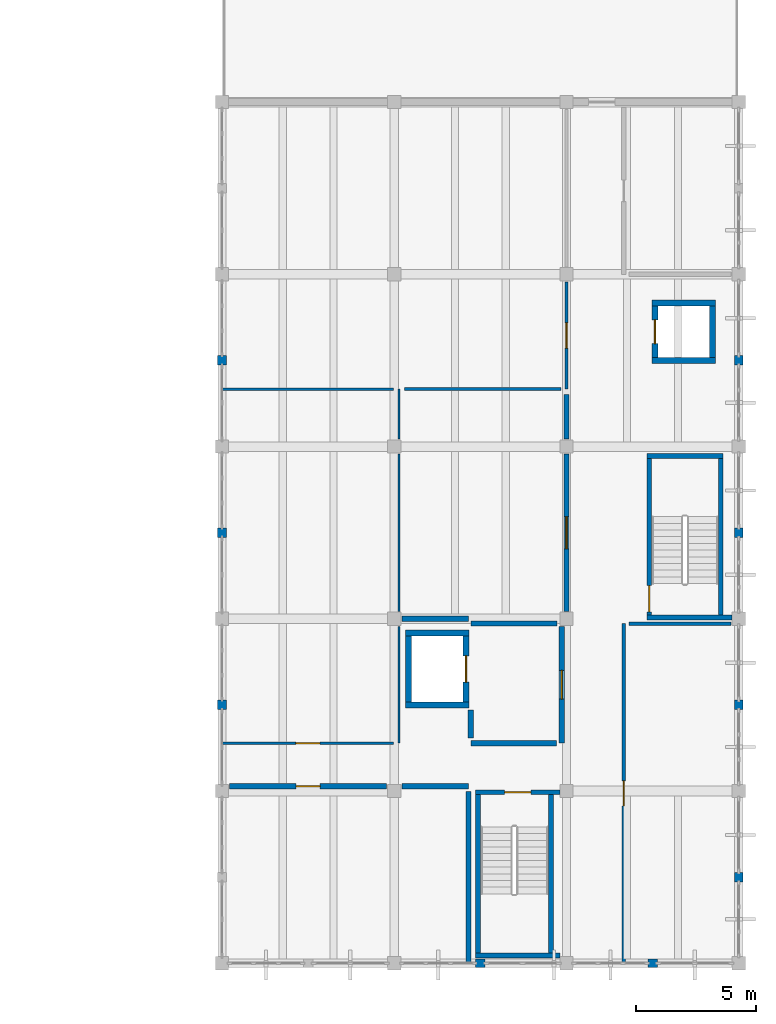
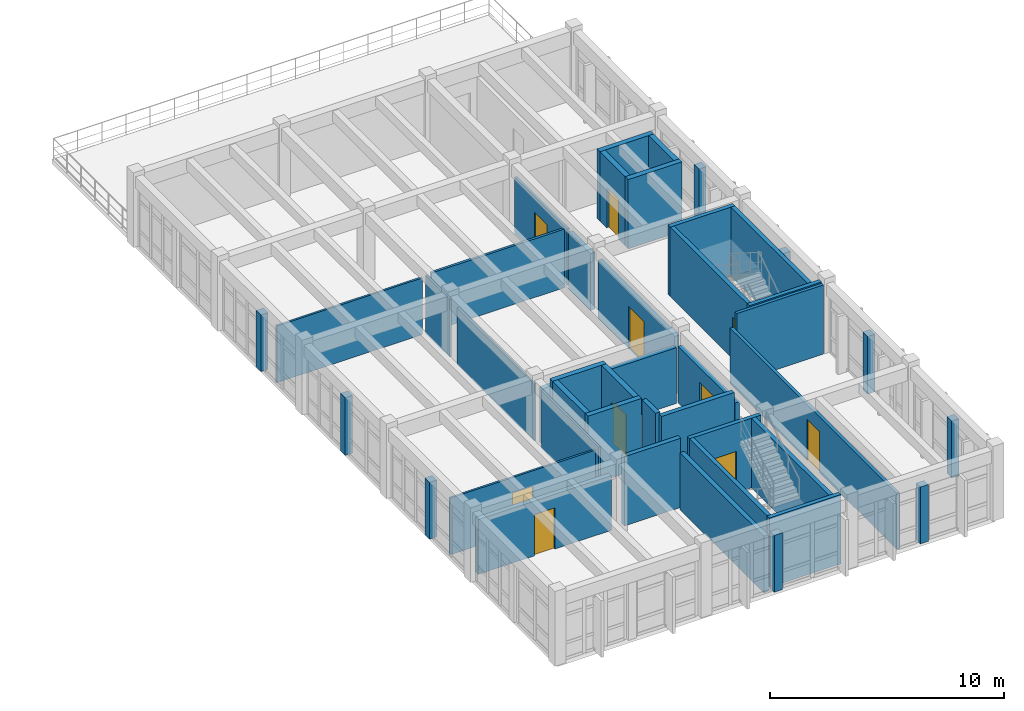
# One storey, part 16 of 22: 44 walls, 10 doors, 10 openings.
"""IFC4 building model written with IfcOpenShell, lengths in metres."""

from ifc_helpers import new_model, si_unit, direction, frame, frame_2d, origin, place, context, subcontext, project, spatial, rectangle, extrude, material, layer, layer_set, type_object, element, fill, save


model = new_model("IFC4")

# Units and contexts
model_context = context("Model", 3, precision=1e-05, world=origin(), true_north=direction((0.0, 1.0)))
body_context = subcontext(model_context, "Body", "Model", "MODEL_VIEW")
ifc_project = project(units=[si_unit("LENGTHUNIT", "METRE"), si_unit("AREAUNIT", "SQUARE_METRE"), si_unit("VOLUMEUNIT", "CUBIC_METRE"), si_unit("PLANEANGLEUNIT", "RADIAN"), si_unit("MASSUNIT", "GRAM", prefix="KILO")], contexts=[model_context])

# Site, building, storey
site_placement = place(None, origin())
site = spatial("IfcSite", under=ifc_project, at=site_placement, CompositionType="ELEMENT")
building_placement = place(site_placement, origin())
building = spatial("IfcBuilding", under=site, at=building_placement, Name="Koriwan Promenade Central Fire Station", CompositionType="ELEMENT")
storey_placement = place(building_placement, frame((0.0, 0.0, 17.39990234375)))
storey = spatial("IfcBuildingStorey", under=building, at=storey_placement, Name="L04", CompositionType="ELEMENT", Elevation=17.39990234375)

# Walls
ifc_material_1 = material(Name="Natural sillar sandstone ashlar", Category="masonry")
ifc_layer_1 = layer(ifc_material_1, 0.360107421875, Name="Natural sillar sandstone ashlar")
ifc_layer_set_1 = layer_set([ifc_layer_1], Name="Natural sillar sandstone ashlar")
wall_type_1 = type_object("IfcWallType", Name="ExtWall_SillarBase_360", PredefinedType="SOLIDWALL", material=ifc_layer_set_1)
wall_1_placement = place(storey_placement, frame((172.800048828125, 3.39990234375, 0.0), z_axis=(0.0, 0.0, 1.0), x_axis=(0.0, 1.0, 0.0)))
element("IfcWall", 1, at=wall_1_placement, inside=storey, type_object=wall_type_1, Name="V5 L04 sillar facade mullion pier 305", PredefinedType="SOLIDWALL", context=body_context, shape_type="SweptSolid", body=[
    extrude(rectangle(XDim=0.400146484375, YDim=0.360107421875, at=frame_2d((0.2001953125, 0.0))), origin(), (0.0, 0.0, 1.0), 2.960205078125),
])
wall_2_placement = place(storey_placement, frame((172.800048828125, 10.60009765625, 0.0), z_axis=(0.0, 0.0, 1.0), x_axis=(0.0, 1.0, 0.0)))
element("IfcWall", 2, at=wall_2_placement, inside=storey, type_object=wall_type_1, Name="V5 L04 sillar facade mullion pier 306", PredefinedType="SOLIDWALL", context=body_context, shape_type="SweptSolid", body=[
    extrude(rectangle(XDim=0.39990234375, YDim=0.360107421875, at=frame_2d((0.199951171875, 0.0))), origin(), (0.0, 0.0, 1.0), 3.010009765625),
])
wall_3_placement = place(storey_placement, frame((172.800048828125, 17.800048828125, 0.0), z_axis=(0.0, 0.0, 1.0), x_axis=(0.0, 1.0, 0.0)))
element("IfcWall", 3, at=wall_3_placement, inside=storey, type_object=wall_type_1, Name="V5 L04 sillar facade mullion pier 307", PredefinedType="SOLIDWALL", context=body_context, shape_type="SweptSolid", body=[
    extrude(rectangle(XDim=0.39990234375, YDim=0.360107421875, at=frame_2d((0.199951171875, 0.0))), origin(), (0.0, 0.0, 1.0), 2.960205078125),
])
wall_4_placement = place(storey_placement, frame((172.800048828125, 25.0, 0.0), z_axis=(0.0, 0.0, 1.0), x_axis=(0.0, 1.0, 0.0)))
element("IfcWall", 4, at=wall_4_placement, inside=storey, type_object=wall_type_1, Name="V5 L04 sillar facade mullion pier 308", PredefinedType="SOLIDWALL", context=body_context, shape_type="SweptSolid", body=[
    extrude(rectangle(XDim=0.39990234375, YDim=0.360107421875, at=frame_2d((0.199951171875, 0.0))), origin(), (0.0, 0.0, 1.0), 3.010009765625),
])
wall_5_placement = place(storey_placement, frame((151.199951171875, 25.39990234375, 0.0), z_axis=(0.0, 0.0, 1.0), x_axis=(0.0, -1.0, 0.0)))
element("IfcWall", 5, at=wall_5_placement, inside=storey, type_object=wall_type_1, Name="V5 L04 sillar facade mullion pier 314", PredefinedType="SOLIDWALL", context=body_context, shape_type="SweptSolid", body=[
    extrude(rectangle(XDim=0.39990234375, YDim=0.360107421875, at=frame_2d((0.199951171875, 0.0))), origin(), (0.0, 0.0, 1.0), 2.960205078125),
])
wall_6_placement = place(storey_placement, frame((151.199951171875, 18.199951171875, 0.0), z_axis=(0.0, 0.0, 1.0), x_axis=(0.0, -1.0, 0.0)))
element("IfcWall", 6, at=wall_6_placement, inside=storey, type_object=wall_type_1, Name="V5 L04 sillar facade mullion pier 315", PredefinedType="SOLIDWALL", context=body_context, shape_type="SweptSolid", body=[
    extrude(rectangle(XDim=0.39990234375, YDim=0.360107421875, at=frame_2d((0.199951171875, 0.0))), origin(), (0.0, 0.0, 1.0), 3.010009765625),
])
for number, where, z_axis, x_axis, name in (
    (7, (151.199951171875, 11.0, 0.0), (0.0, 0.0, 1.0), (0.0, -1.0, 0.0), "V5 L04 sillar facade mullion pier 316"),
    (8, (161.800048828125, 0.0, 0.0), (0.0, 0.0, 1.0), (1.0, 0.0, 0.0), "V5 L04 sillar facade mullion pier 319"),
    (9, (169.0, 0.0, 0.0), (0.0, 0.0, 1.0), (1.0, 0.0, 0.0), "V5 L04 sillar facade mullion pier 320"),
):
    element("IfcWall", number, at=place(storey_placement, frame(where, z_axis=z_axis, x_axis=x_axis)), inside=storey, type_object=wall_type_1, Name=name, PredefinedType="SOLIDWALL", context=body_context, shape_type="SweptSolid", body=[
        extrude(rectangle(XDim=0.39990234375, YDim=0.360107421875, at=frame_2d((0.199951171875, 0.0))), origin(), (0.0, 0.0, 1.0), 2.960205078125),
    ])
ifc_material_2 = material(Name="Gypsum board acoustic stud partition", Category="gypsum")
ifc_layer_2 = layer(ifc_material_2, 0.10009765625, Name="Gypsum board acoustic stud partition")
ifc_layer_set_2 = layer_set([ifc_layer_2], Name="Gypsum board acoustic stud partition")
wall_type_2 = type_object("IfcWallType", Name="IntWall_Drywall_100", PredefinedType="PARTITIONING", material=ifc_layer_set_2)
wall_7_placement = place(storey_placement, frame((158.60009765625, 9.199951171875, 0.0), z_axis=(0.0, 0.0, 1.0), x_axis=(0.0, 1.0, 0.0)))
element("IfcWall", 10, at=wall_7_placement, inside=storey, type_object=wall_type_2, Name="Metropolitan Call-Taking and Dispatch Centre partition E", PredefinedType="PARTITIONING", context=body_context, shape_type="SweptSolid", body=[
    extrude(rectangle(XDim=4.885009765625, YDim=0.10009765625, at=frame_2d((2.4423828125, 0.0))), origin(), (0.0, 0.0, 1.0), 3.008056640625),
])
wall_8_placement = place(storey_placement, frame((158.60009765625, 14.715087890625, 0.0), z_axis=(0.0, 0.0, 1.0), x_axis=(0.0, 1.0, 0.0)))
element("IfcWall", 11, at=wall_8_placement, inside=storey, type_object=wall_type_2, Name="Metropolitan Call-Taking and Dispatch Centre partition E", PredefinedType="PARTITIONING", context=body_context, shape_type="SweptSolid", body=[
    extrude(rectangle(XDim=6.56982421875, YDim=0.10009765625, at=frame_2d((3.284912109375, 0.0))), origin(), (0.0, 0.0, 1.0), 2.9580078125),
])
wall_9_placement = place(storey_placement, frame((158.60009765625, 21.9150390625, 0.0), z_axis=(0.0, 0.0, 1.0), x_axis=(0.0, 1.0, 0.0)))
element("IfcWall", 12, at=wall_9_placement, inside=storey, type_object=wall_type_2, Name="Metropolitan Call-Taking and Dispatch Centre partition E", PredefinedType="PARTITIONING", context=body_context, shape_type="SweptSolid", body=[
    extrude(rectangle(XDim=2.0849609375, YDim=0.10009765625, at=frame_2d((1.04248046875, 0.0))), origin(), (0.0, 0.0, 1.0), 3.008056640625),
])

# Wall, opening, door
wall_10_placement = place(storey_placement, frame((151.199951171875, 9.199951171875, 0.0), z_axis=(0.0, 0.0, 1.0), x_axis=(1.0, 0.0, 0.0)))
wall_10 = element("IfcWall", 13, at=wall_10_placement, inside=storey, type_object=wall_type_2, Name="Metropolitan Call-Taking and Dispatch Centre partition S", PredefinedType="PARTITIONING", context=body_context, shape_type="SweptSolid", body=[
    extrude(rectangle(XDim=7.179931640625, YDim=0.10009765625, at=frame_2d((3.58984375, 0.0))), origin(), (0.0, 0.0, 1.0), 2.9580078125),
])
opening_1_placement = place(wall_10_placement, frame((3.090087890625, 0.0, 0.0)))
opening_1 = element("IfcOpeningElement", 14, at=opening_1_placement, cuts=wall_10, Name="Opening D-184", PredefinedType="OPENING", context=body_context, shape_type="SweptSolid", body=[
    extrude(rectangle(XDim=1.0, YDim=2.14990234375, at=frame_2d((0.5, 1.074951171875))), frame((0.0, 0.06201171875, 0.0), z_axis=(0.0, -1.0, 0.0), x_axis=(1.0, 0.0, 0.0)), (0.0, 0.0, 1.0), 0.1240234375),
])
ifc_material_3 = material(Name="Hardwood veneer solid-core timber", Category="wood")
door_type_1 = type_object("IfcDoorType", Name="RoomDoor_Office_1000x2150", OperationType="NOTDEFINED", PredefinedType="DOOR", material=ifc_material_3)
door_1_placement = place(opening_1_placement, origin())
door_1 = element("IfcDoor", 15, at=door_1_placement, inside=storey, type_object=door_type_1, Name="Metropolitan Call-Taking and Dispatch Centre Door D-184", OperationType="SINGLE_SWING_RIGHT", OverallHeight=2.14990234375, OverallWidth=1.0, PredefinedType="DOOR", context=body_context, shape_type="SweptSolid", body=[
    extrude(rectangle(XDim=1.0, YDim=2.14990234375, at=frame_2d((0.5, 1.074951171875))), frame((0.0, 0.02490234375, 0.0), z_axis=(0.0, -1.0, 0.0), x_axis=(1.0, 0.0, 0.0)), (0.0, 0.0, 1.0), 0.050048828125),
])
fill(opening_1, door_1)

# Wall
wall_11_placement = place(storey_placement, frame((151.199951171875, 24.0, 0.0), z_axis=(0.0, 0.0, 1.0), x_axis=(1.0, 0.0, 0.0)))
element("IfcWall", 16, at=wall_11_placement, inside=storey, type_object=wall_type_2, Name="Metropolitan Call-Taking and Dispatch Centre partition N", PredefinedType="PARTITIONING", context=body_context, shape_type="SweptSolid", body=[
    extrude(rectangle(XDim=7.179931640625, YDim=0.10009765625, at=frame_2d((3.58984375, 0.0))), origin(), (0.0, 0.0, 1.0), 2.9580078125),
])

# Wall, opening, door
ifc_layer_3 = layer(ifc_material_2, 0.1201171875, Name="Gypsum board acoustic stud partition")
ifc_layer_set_3 = layer_set([ifc_layer_3], Name="Gypsum board acoustic stud partition")
wall_type_3 = type_object("IfcWallType", Name="IntWall_Drywall_120", PredefinedType="PARTITIONING", material=ifc_layer_set_3)
wall_12_placement = place(storey_placement, frame((165.60009765625, 24.0, 0.0), z_axis=(0.0, 0.0, 1.0), x_axis=(0.0, 1.0, 0.0)))
wall_12 = element("IfcWall", 17, at=wall_12_placement, inside=storey, type_object=wall_type_3, Name="GIS Situational Mapping Studio partition E", PredefinedType="PARTITIONING", context=body_context, shape_type="SweptSolid", body=[
    extrude(rectangle(XDim=4.485107421875, YDim=0.1201171875, at=frame_2d((2.24267578125, 0.0))), origin(), (0.0, 0.0, 1.0), 2.9580078125),
])
opening_2_placement = place(wall_12_placement, frame((1.717529296875, 0.0, 0.0)))
opening_2 = element("IfcOpeningElement", 18, at=opening_2_placement, cuts=wall_12, Name="Opening D-185", PredefinedType="OPENING", context=body_context, shape_type="SweptSolid", body=[
    extrude(rectangle(XDim=1.050048828125, YDim=2.14990234375, at=frame_2d((0.52490234375, 1.074951171875))), frame((0.0, 0.072021484375, 0.0), z_axis=(0.0, -1.0, 0.0), x_axis=(1.0, 0.0, 0.0)), (0.0, 0.0, 1.0), 0.14404296875),
])
door_type_2 = type_object("IfcDoorType", Name="RoomDoor_Class_1050x2150", OperationType="NOTDEFINED", PredefinedType="DOOR", material=ifc_material_3)
door_2_placement = place(opening_2_placement, origin())
door_2 = element("IfcDoor", 19, at=door_2_placement, inside=storey, type_object=door_type_2, Name="GIS Situational Mapping Studio Door D-185", OperationType="SINGLE_SWING_LEFT", OverallHeight=2.14990234375, OverallWidth=1.050048828125, PredefinedType="DOOR", context=body_context, shape_type="SweptSolid", body=[
    extrude(rectangle(XDim=1.050048828125, YDim=2.14990234375, at=frame_2d((0.52490234375, 1.074951171875))), frame((0.0, 0.02490234375, 0.0), z_axis=(0.0, -1.0, 0.0), x_axis=(1.0, 0.0, 0.0)), (0.0, 0.0, 1.0), 0.050048828125),
])
fill(opening_2, door_2)

# Wall
wall_13_placement = place(storey_placement, frame((158.820068359375, 24.0, 0.0), z_axis=(0.0, 0.0, 1.0), x_axis=(1.0, 0.0, 0.0)))
element("IfcWall", 20, at=wall_13_placement, inside=storey, type_object=wall_type_3, Name="GIS Situational Mapping Studio partition S", PredefinedType="PARTITIONING", context=body_context, shape_type="SweptSolid", body=[
    extrude(rectangle(XDim=6.559814453125, YDim=0.1201171875, at=frame_2d((3.27978515625, 0.0))), origin(), (0.0, 0.0, 1.0), 3.05810546875),
])

# Wall, opening, door
ifc_material_4 = material(Name="Clay brick plastered masonry wall", Category="masonry")
ifc_layer_4 = layer(ifc_material_4, 0.14990234375, Name="Clay brick plastered masonry wall")
ifc_layer_set_4 = layer_set([ifc_layer_4], Name="Clay brick plastered masonry wall")
wall_type_4 = type_object("IfcWallType", Name="IntWall_Masonry_150", PredefinedType="STANDARD", material=ifc_layer_set_4)
wall_14_placement = place(storey_placement, frame((168.0, 0.0, 0.0), z_axis=(0.0, 0.0, 1.0), x_axis=(0.0, 1.0, 0.0)))
wall_14 = element("IfcWall", 21, at=wall_14_placement, inside=storey, type_object=wall_type_4, Name="Dispatch Supervisors' Briefing Office partition W", PredefinedType="STANDARD", context=body_context, shape_type="SweptSolid", body=[
    extrude(rectangle(XDim=14.199951171875, YDim=0.14990234375, at=frame_2d((7.10009765625, 0.0))), origin(), (0.0, 0.0, 1.0), 2.908203125),
])
opening_3_placement = place(wall_14_placement, frame((6.574951171875, 0.0, 0.0)))
opening_3 = element("IfcOpeningElement", 22, at=opening_3_placement, cuts=wall_14, Name="Opening D-188", PredefinedType="OPENING", context=body_context, shape_type="SweptSolid", body=[
    extrude(rectangle(XDim=1.050048828125, YDim=2.14990234375, at=frame_2d((0.52490234375, 1.074951171875))), frame((0.0, 0.0869140625, 0.0), z_axis=(0.0, -1.0, 0.0), x_axis=(1.0, 0.0, 0.0)), (0.0, 0.0, 1.0), 0.173828125),
])
door_3_placement = place(opening_3_placement, origin())
door_3 = element("IfcDoor", 23, at=door_3_placement, inside=storey, type_object=door_type_2, Name="Dispatch Supervisors' Briefing Office Door D-188", OperationType="SINGLE_SWING_RIGHT", OverallHeight=2.14990234375, OverallWidth=1.050048828125, PredefinedType="DOOR", context=body_context, shape_type="SweptSolid", body=[
    extrude(rectangle(XDim=1.050048828125, YDim=2.14990234375, at=frame_2d((0.52490234375, 1.074951171875))), frame((0.0, 0.02490234375, 0.0), z_axis=(0.0, -1.0, 0.0), x_axis=(1.0, 0.0, 0.0)), (0.0, 0.0, 1.0), 0.050048828125),
])
fill(opening_3, door_3)

# Wall
wall_15_placement = place(storey_placement, frame((168.219970703125, 14.199951171875, 0.0), z_axis=(0.0, 0.0, 1.0), x_axis=(1.0, 0.0, 0.0)))
element("IfcWall", 24, at=wall_15_placement, inside=storey, type_object=wall_type_4, Name="Dispatch Supervisors' Briefing Office partition N", PredefinedType="STANDARD", context=body_context, shape_type="SweptSolid", body=[
    extrude(rectangle(XDim=4.26513671875, YDim=0.14990234375, at=frame_2d((2.132568359375, 0.0))), origin(), (0.0, 0.0, 1.0), 3.612060546875),
])

# Wall, opening, door
ifc_material_5 = material(Name="Concrete C35/45 compartment wall", Category="concrete")
ifc_layer_5 = layer(ifc_material_5, 0.219970703125, Name="Concrete C35/45 compartment wall")
ifc_layer_set_5 = layer_set([ifc_layer_5], Name="Concrete C35/45 compartment wall")
wall_type_5 = type_object("IfcWallType", Name="IntWall_Plant_220", PredefinedType="STANDARD", material=ifc_layer_set_5)
wall_16_placement = place(storey_placement, frame((165.39990234375, 9.199951171875, 0.0), z_axis=(0.0, 0.0, 1.0), x_axis=(0.0, 1.0, 0.0)))
wall_16 = element("IfcWall", 25, at=wall_16_placement, inside=storey, type_object=wall_type_5, Name="Headquarters Firefighting Lift Lobby L04 partition E", PredefinedType="STANDARD", context=body_context, shape_type="SweptSolid", body=[
    extrude(rectangle(XDim=4.885009765625, YDim=0.219970703125, at=frame_2d((2.4423828125, 0.0))), origin(), (0.0, 0.0, 1.0), 2.9580078125),
])
opening_4_placement = place(wall_16_placement, frame((1.842529296875, 0.0, 0.0)))
opening_4 = element("IfcOpeningElement", 26, at=opening_4_placement, cuts=wall_16, Name="Opening D-182", PredefinedType="OPENING", context=body_context, shape_type="SweptSolid", body=[
    extrude(rectangle(XDim=1.199951171875, YDim=2.199951171875, at=frame_2d((0.60009765625, 1.10009765625))), frame((0.0, 0.1220703125, 0.0), z_axis=(0.0, -1.0, 0.0), x_axis=(1.0, 0.0, 0.0)), (0.0, 0.0, 1.0), 0.243896484375),
])
ifc_material_6 = material(Name="Painted galvanized fire-door steel", Category="steel")
door_type_3 = type_object("IfcDoorType", Name="FireDoor_Lobby_1200x2200", OperationType="NOTDEFINED", PredefinedType="DOOR", material=ifc_material_6)
door_4_placement = place(opening_4_placement, origin())
door_4 = element("IfcDoor", 27, at=door_4_placement, inside=storey, type_object=door_type_3, Name="Headquarters Firefighting Lift Lobby L04 Door D-182", OperationType="SINGLE_SWING_RIGHT", OverallHeight=2.199951171875, OverallWidth=1.199951171875, PredefinedType="DOOR", context=body_context, shape_type="SweptSolid", body=[
    extrude(rectangle(XDim=1.199951171875, YDim=2.199951171875, at=frame_2d((0.60009765625, 1.10009765625))), frame((0.0, 0.02490234375, 0.0), z_axis=(0.0, -1.0, 0.0), x_axis=(1.0, 0.0, 0.0)), (0.0, 0.0, 1.0), 0.050048828125),
])
fill(opening_4, door_4)

# Walls
wall_17_placement = place(storey_placement, frame((161.60009765625, 9.199951171875, 0.0), z_axis=(0.0, 0.0, 1.0), x_axis=(1.0, 0.0, 0.0)))
element("IfcWall", 28, at=wall_17_placement, inside=storey, type_object=wall_type_5, Name="Headquarters Firefighting Lift Lobby L04 partition S", PredefinedType="STANDARD", context=body_context, shape_type="SweptSolid", body=[
    extrude(rectangle(XDim=3.579833984375, YDim=0.219970703125, at=frame_2d((1.7900390625, 0.0))), origin(), (0.0, 0.0, 1.0), 3.612060546875),
])
wall_18_placement = place(storey_placement, frame((161.60009765625, 14.199951171875, 0.0), z_axis=(0.0, 0.0, 1.0), x_axis=(1.0, 0.0, 0.0)))
element("IfcWall", 29, at=wall_18_placement, inside=storey, type_object=wall_type_5, Name="Headquarters Firefighting Lift Lobby L04 partition N", PredefinedType="STANDARD", context=body_context, shape_type="SweptSolid", body=[
    extrude(rectangle(XDim=3.612548828125, YDim=0.219970703125, at=frame_2d((1.80615234375, 0.0))), origin(), (0.0, 0.0, 1.0), 2.908203125),
])
wall_19_placement = place(storey_placement, frame((161.60009765625, 9.419921875, 0.0), z_axis=(0.0, 0.0, 1.0), x_axis=(0.0, 1.0, 0.0)))
element("IfcWall", 30, at=wall_19_placement, inside=storey, type_object=wall_type_5, Name="Headquarters Firefighting Lift Lobby L04 partition W", PredefinedType="STANDARD", context=body_context, shape_type="SweptSolid", body=[
    extrude(rectangle(XDim=1.173583984375, YDim=0.219970703125, at=frame_2d((0.5869140625, 0.0))), origin(), (0.0, 0.0, 1.0), 3.612060546875),
])

# Wall, opening, door
wall_20_placement = place(storey_placement, frame((151.514892578125, 7.39990234375, 0.0), z_axis=(0.0, 0.0, 1.0), x_axis=(1.0, 0.0, 0.0)))
wall_20 = element("IfcWall", 31, at=wall_20_placement, inside=storey, type_object=wall_type_5, Name="Metropolitan Emergency Control Room partition N", PredefinedType="STANDARD", context=body_context, shape_type="SweptSolid", body=[
    extrude(rectangle(XDim=6.570068359375, YDim=0.219970703125, at=frame_2d((3.28515625, 0.0))), origin(), (0.0, 0.0, 1.0), 2.858154296875),
])
opening_5_placement = place(wall_20_placement, frame((2.784912109375, 0.0, 0.0)))
opening_5 = element("IfcOpeningElement", 32, at=opening_5_placement, cuts=wall_20, Name="Opening D-183", PredefinedType="OPENING", context=body_context, shape_type="SweptSolid", body=[
    extrude(rectangle(XDim=1.0, YDim=2.14990234375, at=frame_2d((0.5, 1.074951171875))), frame((0.0, 0.1220703125, 0.0), z_axis=(0.0, -1.0, 0.0), x_axis=(1.0, 0.0, 0.0)), (0.0, 0.0, 1.0), 0.243896484375),
])
door_5_placement = place(opening_5_placement, origin())
door_5 = element("IfcDoor", 33, at=door_5_placement, inside=storey, type_object=door_type_1, Name="Metropolitan Emergency Control Room Door D-183", OperationType="SINGLE_SWING_LEFT", OverallHeight=2.14990234375, OverallWidth=1.0, PredefinedType="DOOR", context=body_context, shape_type="SweptSolid", body=[
    extrude(rectangle(XDim=1.0, YDim=2.14990234375, at=frame_2d((0.5, 1.074951171875))), frame((0.0, 0.02490234375, 0.0), z_axis=(0.0, -1.0, 0.0), x_axis=(1.0, 0.0, 0.0)), (0.0, 0.0, 1.0), 0.050048828125),
])
fill(opening_5, door_5)

# Walls
wall_21_placement = place(storey_placement, frame((158.715087890625, 7.39990234375, 0.0), z_axis=(0.0, 0.0, 1.0), x_axis=(1.0, 0.0, 0.0)))
element("IfcWall", 34, at=wall_21_placement, inside=storey, type_object=wall_type_5, Name="Metropolitan Emergency Control Room partition N", PredefinedType="STANDARD", context=body_context, shape_type="SweptSolid", body=[
    extrude(rectangle(XDim=2.784912109375, YDim=0.219970703125, at=frame_2d((1.392578125, 0.0))), origin(), (0.0, 0.0, 1.0), 3.612060546875),
])
wall_22_placement = place(storey_placement, frame((161.5, 0.0, 0.0), z_axis=(0.0, 0.0, 1.0), x_axis=(0.0, 1.0, 0.0)))
element("IfcWall", 35, at=wall_22_placement, inside=storey, type_object=wall_type_5, Name="Metropolitan Emergency Control Room partition E", PredefinedType="STANDARD", context=body_context, shape_type="SweptSolid", body=[
    extrude(rectangle(XDim=7.179931640625, YDim=0.219970703125, at=frame_2d((3.58984375, 0.0))), origin(), (0.0, 0.0, 1.0), 2.9580078125),
])

# Wall, opening, door
wall_23_placement = place(storey_placement, frame((165.60009765625, 14.715087890625, 0.0), z_axis=(0.0, 0.0, 1.0), x_axis=(0.0, 1.0, 0.0)))
wall_23 = element("IfcWall", 36, at=wall_23_placement, inside=storey, type_object=wall_type_5, Name="Clean-Agent Telemetry Server Suite partition E", PredefinedType="STANDARD", context=body_context, shape_type="SweptSolid", body=[
    extrude(rectangle(XDim=6.56982421875, YDim=0.219970703125, at=frame_2d((3.284912109375, 0.0))), origin(), (0.0, 0.0, 1.0), 3.008056640625),
])
opening_6_placement = place(wall_23_placement, frame((2.610107421875, 0.0, 0.0)))
opening_6 = element("IfcOpeningElement", 37, at=opening_6_placement, cuts=wall_23, Name="Opening D-186", PredefinedType="OPENING", context=body_context, shape_type="SweptSolid", body=[
    extrude(rectangle(XDim=1.35009765625, YDim=2.199951171875, at=frame_2d((0.675048828125, 1.10009765625))), frame((0.0, 0.1220703125, 0.0), z_axis=(0.0, -1.0, 0.0), x_axis=(1.0, 0.0, 0.0)), (0.0, 0.0, 1.0), 0.243896484375),
])
door_type_4 = type_object("IfcDoorType", Name="FireDoor_Plant_1350x2200", OperationType="NOTDEFINED", PredefinedType="DOOR", material=ifc_material_6)
door_6_placement = place(opening_6_placement, origin())
door_6 = element("IfcDoor", 38, at=door_6_placement, inside=storey, type_object=door_type_4, Name="Clean-Agent Telemetry Server Suite Door D-186", OperationType="SINGLE_SWING_RIGHT", OverallHeight=2.199951171875, OverallWidth=1.35009765625, PredefinedType="DOOR", context=body_context, shape_type="SweptSolid", body=[
    extrude(rectangle(XDim=1.35009765625, YDim=2.199951171875, at=frame_2d((0.675048828125, 1.10009765625))), frame((0.0, 0.02490234375, 0.0), z_axis=(0.0, -1.0, 0.0), x_axis=(1.0, 0.0, 0.0)), (0.0, 0.0, 1.0), 0.050048828125),
])
fill(opening_6, door_6)

# Walls
wall_24_placement = place(storey_placement, frame((165.60009765625, 21.9150390625, 0.0), z_axis=(0.0, 0.0, 1.0), x_axis=(0.0, 1.0, 0.0)))
element("IfcWall", 39, at=wall_24_placement, inside=storey, type_object=wall_type_5, Name="Clean-Agent Telemetry Server Suite partition E", PredefinedType="STANDARD", context=body_context, shape_type="SweptSolid", body=[
    extrude(rectangle(XDim=1.864990234375, YDim=0.219970703125, at=frame_2d((0.9326171875, 0.0))), origin(), (0.0, 0.0, 1.0), 2.9580078125),
])
wall_25_placement = place(storey_placement, frame((158.715087890625, 14.39990234375, 0.0), z_axis=(0.0, 0.0, 1.0), x_axis=(1.0, 0.0, 0.0)))
element("IfcWall", 40, at=wall_25_placement, inside=storey, type_object=wall_type_5, Name="Clean-Agent Telemetry Server Suite partition S", PredefinedType="STANDARD", context=body_context, shape_type="SweptSolid", body=[
    extrude(rectangle(XDim=2.793701171875, YDim=0.219970703125, at=frame_2d((1.39697265625, 0.0))), origin(), (0.0, 0.0, 1.0), 2.908203125),
])
ifc_material_7 = material(Name="Concrete C40/50", Category="concrete")
ifc_layer_6 = layer(ifc_material_7, 0.199951171875, Name="Concrete C40/50")
ifc_layer_set_6 = layer_set([ifc_layer_6], Name="Concrete C40/50")
wall_type_6 = type_object("IfcWallType", Name="ShearWall_200", PredefinedType="SHEAR", material=ifc_layer_set_6)
wall_26_placement = place(storey_placement, frame((161.800048828125, 0.330078125, 0.0), z_axis=(0.0, 0.0, 1.0), x_axis=(1.0, 0.0, 0.0)))
element("IfcWall", 41, at=wall_26_placement, inside=storey, type_object=wall_type_6, Name="ST22 L04 structural stair wall S", PredefinedType="SHEAR", context=body_context, shape_type="SweptSolid", body=[
    extrude(rectangle(XDim=3.52490234375, YDim=0.199951171875, at=frame_2d((1.762451171875, 0.0))), origin(), (0.0, 0.0, 1.0), 3.6201171875),
])

# Wall, opening, door
wall_27_placement = place(storey_placement, frame((161.800048828125, 7.14990234375, 0.0), z_axis=(0.0, 0.0, 1.0), x_axis=(1.0, 0.0, 0.0)))
wall_27 = element("IfcWall", 42, at=wall_27_placement, inside=storey, type_object=wall_type_6, Name="ST22 L04 structural stair wall N", PredefinedType="SHEAR", context=body_context, shape_type="SweptSolid", body=[
    extrude(rectangle(XDim=3.52490234375, YDim=0.199951171875, at=frame_2d((1.762451171875, 0.0))), origin(), (0.0, 0.0, 1.0), 3.6201171875),
])
opening_7_placement = place(wall_27_placement, frame((1.21240234375, 0.0, 0.0)))
opening_7 = element("IfcOpeningElement", 43, at=opening_7_placement, cuts=wall_27, Name="Opening SD-036", PredefinedType="OPENING", context=body_context, shape_type="SweptSolid", body=[
    extrude(rectangle(XDim=1.10009765625, YDim=2.14990234375, at=frame_2d((0.550048828125, 1.074951171875))), frame((0.0, 0.11181640625, 0.0), z_axis=(0.0, -1.0, 0.0), x_axis=(1.0, 0.0, 0.0)), (0.0, 0.0, 1.0), 0.223876953125),
])
door_type_5 = type_object("IfcDoorType", Name="FireDoor_Stair_1100x2150", OperationType="NOTDEFINED", PredefinedType="DOOR", material=ifc_material_6)
door_7_placement = place(opening_7_placement, frame((1.10009765625, 0.0, 0.0), z_axis=(0.0, 0.0, 1.0), x_axis=(-1.0, 0.0, 0.0)))
door_7 = element("IfcDoor", 44, at=door_7_placement, inside=storey, type_object=door_type_5, Name="Protected Stair ST22 Fire Door SD-036", OperationType="SINGLE_SWING_LEFT", OverallHeight=2.14990234375, OverallWidth=1.10009765625, PredefinedType="DOOR", context=body_context, shape_type="SweptSolid", body=[
    extrude(rectangle(XDim=1.10009765625, YDim=2.14990234375, at=frame_2d((0.550048828125, 1.074951171875))), frame((0.0, 0.02490234375, 0.0), z_axis=(0.0, -1.0, 0.0), x_axis=(1.0, 0.0, 0.0)), (0.0, 0.0, 1.0), 0.050048828125),
])
fill(opening_7, door_7)

# Walls
for number, where, z_axis, x_axis, name in (
    (45, (161.89990234375, 0.429931640625, 0.0), (0.0, 0.0, 1.0), (0.0, 1.0, 0.0), "ST22 L04 structural stair wall W"),
    (46, (164.949951171875, 0.429931640625, 0.0), (0.0, 0.0, 1.0), (0.0, 1.0, 0.0), "ST22 L04 structural stair wall E"),
):
    element("IfcWall", number, at=place(storey_placement, frame(where, z_axis=z_axis, x_axis=x_axis)), inside=storey, type_object=wall_type_6, Name=name, PredefinedType="SHEAR", context=body_context, shape_type="SweptSolid", body=[
        extrude(rectangle(XDim=6.6201171875, YDim=0.199951171875, at=frame_2d((3.31005859375, 0.0))), origin(), (0.0, 0.0, 1.0), 3.6201171875),
    ])
wall_28_placement = place(storey_placement, frame((168.9599609375, 14.449951171875, 0.0), z_axis=(0.0, 0.0, 1.0), x_axis=(1.0, 0.0, 0.0)))
element("IfcWall", 47, at=wall_28_placement, inside=storey, type_object=wall_type_6, Name="ST27 L04 structural stair wall S", PredefinedType="SHEAR", context=body_context, shape_type="SweptSolid", body=[
    extrude(rectangle(XDim=3.56494140625, YDim=0.199951171875, at=frame_2d((1.782470703125, 0.0))), origin(), (0.0, 0.0, 1.0), 3.6201171875),
])
wall_29_placement = place(storey_placement, frame((168.9599609375, 21.2099609375, 0.0), z_axis=(0.0, 0.0, 1.0), x_axis=(1.0, 0.0, 0.0)))
element("IfcWall", 48, at=wall_29_placement, inside=storey, type_object=wall_type_6, Name="ST27 L04 structural stair wall N", PredefinedType="SHEAR", context=body_context, shape_type="SweptSolid", body=[
    extrude(rectangle(XDim=3.18994140625, YDim=0.199951171875, at=frame_2d((1.594970703125, 0.0))), origin(), (0.0, 0.0, 1.0), 3.6201171875),
])

# Wall, opening, door
wall_30_placement = place(storey_placement, frame((169.06005859375, 14.550048828125, 0.0), z_axis=(0.0, 0.0, 1.0), x_axis=(0.0, 1.0, 0.0)))
wall_30 = element("IfcWall", 49, at=wall_30_placement, inside=storey, type_object=wall_type_6, Name="ST27 L04 structural stair wall W", PredefinedType="SHEAR", context=body_context, shape_type="SweptSolid", body=[
    extrude(rectangle(XDim=6.56005859375, YDim=0.199951171875, at=frame_2d((3.280029296875, 0.0))), origin(), (0.0, 0.0, 1.0), 3.6201171875),
])
opening_8_placement = place(wall_30_placement, frame((0.139892578125, 0.0, 0.0)))
opening_8 = element("IfcOpeningElement", 50, at=opening_8_placement, cuts=wall_30, Name="Opening SD-042", PredefinedType="OPENING", context=body_context, shape_type="SweptSolid", body=[
    extrude(rectangle(XDim=1.10009765625, YDim=2.14990234375, at=frame_2d((0.550048828125, 1.074951171875))), frame((0.0, 0.11181640625, 0.0), z_axis=(0.0, -1.0, 0.0), x_axis=(1.0, 0.0, 0.0)), (0.0, 0.0, 1.0), 0.223876953125),
])
door_8_placement = place(opening_8_placement, frame((1.10009765625, 0.0, 0.0), z_axis=(0.0, 0.0, 1.0), x_axis=(-1.0, 0.0, 0.0)))
door_8 = element("IfcDoor", 51, at=door_8_placement, inside=storey, type_object=door_type_5, Name="Protected Stair ST27 Fire Door SD-042", OperationType="SINGLE_SWING_LEFT", OverallHeight=2.14990234375, OverallWidth=1.10009765625, PredefinedType="DOOR", context=body_context, shape_type="SweptSolid", body=[
    extrude(rectangle(XDim=1.10009765625, YDim=2.14990234375, at=frame_2d((0.550048828125, 1.074951171875))), frame((0.0, 0.02490234375, 0.0), z_axis=(0.0, -1.0, 0.0), x_axis=(1.0, 0.0, 0.0)), (0.0, 0.0, 1.0), 0.050048828125),
])
fill(opening_8, door_8)

# Walls
wall_31_placement = place(storey_placement, frame((172.050048828125, 14.550048828125, 0.0), z_axis=(0.0, 0.0, 1.0), x_axis=(0.0, 1.0, 0.0)))
element("IfcWall", 52, at=wall_31_placement, inside=storey, type_object=wall_type_6, Name="ST27 L04 structural stair wall E", PredefinedType="SHEAR", context=body_context, shape_type="SweptSolid", body=[
    extrude(rectangle(XDim=6.56005859375, YDim=0.199951171875, at=frame_2d((3.280029296875, 0.0))), origin(), (0.0, 0.0, 1.0), 3.6201171875),
])
ifc_layer_7 = layer(ifc_material_7, 0.25, Name="Concrete C40/50")
ifc_layer_set_7 = layer_set([ifc_layer_7], Name="Concrete C40/50")
wall_type_7 = type_object("IfcWallType", Name="ShearWall_250", PredefinedType="SHEAR", material=ifc_layer_set_7)
for number, where, z_axis, x_axis, name in (
    (53, (158.875, 10.800048828125, 0.0), (0.0, 0.0, 1.0), (1.0, 0.0, 0.0), "LF01 shaft wall S (L04)"),
    (54, (158.875, 13.800048828125, 0.0), (0.0, 0.0, 1.0), (1.0, 0.0, 0.0), "LF01 shaft wall N (L04)"),
):
    element("IfcWall", number, at=place(storey_placement, frame(where, z_axis=z_axis, x_axis=x_axis)), inside=storey, type_object=wall_type_7, Name=name, PredefinedType="SHEAR", context=body_context, shape_type="SweptSolid", body=[
        extrude(rectangle(XDim=2.64990234375, YDim=0.25, at=frame_2d((1.324951171875, 0.0))), origin(), (0.0, 0.0, 1.0), 3.6201171875),
    ])
wall_32_placement = place(storey_placement, frame((159.0, 10.925048828125, 0.0), z_axis=(0.0, 0.0, 1.0), x_axis=(0.0, 1.0, 0.0)))
element("IfcWall", 55, at=wall_32_placement, inside=storey, type_object=wall_type_7, Name="LF01 shaft wall W (L04)", PredefinedType="SHEAR", context=body_context, shape_type="SweptSolid", body=[
    extrude(rectangle(XDim=2.75, YDim=0.25, at=frame_2d((1.375, 0.0))), origin(), (0.0, 0.0, 1.0), 3.6201171875),
])

# Wall, opening, door
wall_33_placement = place(storey_placement, frame((161.39990234375, 10.925048828125, 0.0), z_axis=(0.0, 0.0, 1.0), x_axis=(0.0, 1.0, 0.0)))
wall_33 = element("IfcWall", 56, at=wall_33_placement, inside=storey, type_object=wall_type_7, Name="LF01 shaft wall E (L04)", PredefinedType="SHEAR", context=body_context, shape_type="SweptSolid", body=[
    extrude(rectangle(XDim=2.75, YDim=0.25, at=frame_2d((1.375, 0.0))), origin(), (0.0, 0.0, 1.0), 3.6201171875),
])
opening_9_placement = place(wall_33_placement, frame((0.824951171875, 0.0, 0.0)))
opening_9 = element("IfcOpeningElement", 57, at=opening_9_placement, cuts=wall_33, Name="Opening LD-LF01-L04", PredefinedType="OPENING", context=body_context, shape_type="SweptSolid", body=[
    extrude(rectangle(XDim=1.10009765625, YDim=2.14990234375, at=frame_2d((0.550048828125, 1.074951171875))), frame((0.0, 0.136962890625, 0.0), z_axis=(0.0, -1.0, 0.0), x_axis=(1.0, 0.0, 0.0)), (0.0, 0.0, 1.0), 0.27392578125),
])
ifc_material_8 = material(Name="Stainless steel 316", Category="steel")
door_type_6 = type_object("IfcDoorType", Name="LiftDoor_Fire_1100x2150", OperationType="SLIDING_TO_LEFT", PredefinedType="DOOR", material=ifc_material_8)
door_9_placement = place(opening_9_placement, origin())
door_9 = element("IfcDoor", 58, at=door_9_placement, inside=storey, type_object=door_type_6, Name="Lift LF01 Sliding Landing Door LD-LF01-L04", OperationType="SLIDING_TO_LEFT", OverallHeight=2.14990234375, OverallWidth=1.10009765625, PredefinedType="DOOR", context=body_context, shape_type="SweptSolid", body=[
    extrude(rectangle(XDim=1.10009765625, YDim=2.14990234375, at=frame_2d((0.550048828125, 1.074951171875))), frame((0.0, 0.02490234375, 0.0), z_axis=(0.0, -1.0, 0.0), x_axis=(1.0, 0.0, 0.0)), (0.0, 0.0, 1.0), 0.050048828125),
])
fill(opening_9, door_9)

# Walls
for number, where, z_axis, x_axis, name in (
    (59, (169.175048828125, 25.199951171875, 0.0), (0.0, 0.0, 1.0), (1.0, 0.0, 0.0), "LP01 shaft wall S (L04)"),
    (60, (169.175048828125, 27.60009765625, 0.0), (0.0, 0.0, 1.0), (1.0, 0.0, 0.0), "LP01 shaft wall N (L04)"),
):
    element("IfcWall", number, at=place(storey_placement, frame(where, z_axis=z_axis, x_axis=x_axis)), inside=storey, type_object=wall_type_7, Name=name, PredefinedType="SHEAR", context=body_context, shape_type="SweptSolid", body=[
        extrude(rectangle(XDim=2.64990234375, YDim=0.25, at=frame_2d((1.324951171875, 0.0))), origin(), (0.0, 0.0, 1.0), 3.6201171875),
    ])

# Wall, opening, door
wall_34_placement = place(storey_placement, frame((169.300048828125, 25.324951171875, 0.0), z_axis=(0.0, 0.0, 1.0), x_axis=(0.0, 1.0, 0.0)))
wall_34 = element("IfcWall", 61, at=wall_34_placement, inside=storey, type_object=wall_type_7, Name="LP01 shaft wall W (L04)", PredefinedType="SHEAR", context=body_context, shape_type="SweptSolid", body=[
    extrude(rectangle(XDim=2.150146484375, YDim=0.25, at=frame_2d((1.0751953125, 0.0))), origin(), (0.0, 0.0, 1.0), 3.6201171875),
])
opening_10_placement = place(wall_34_placement, frame((0.574951171875, 0.0, 0.0)))
opening_10 = element("IfcOpeningElement", 62, at=opening_10_placement, cuts=wall_34, Name="Opening LD-LP01-L04", PredefinedType="OPENING", context=body_context, shape_type="SweptSolid", body=[
    extrude(rectangle(XDim=1.0, YDim=2.10009765625, at=frame_2d((0.5, 1.050048828125))), frame((0.0, 0.136962890625, 0.0), z_axis=(0.0, -1.0, 0.0), x_axis=(1.0, 0.0, 0.0)), (0.0, 0.0, 1.0), 0.27392578125),
])
door_type_7 = type_object("IfcDoorType", Name="LiftDoor_Pass_1000x2100", OperationType="SLIDING_TO_RIGHT", PredefinedType="DOOR", material=ifc_material_8)
door_10_placement = place(opening_10_placement, origin())
door_10 = element("IfcDoor", 63, at=door_10_placement, inside=storey, type_object=door_type_7, Name="Lift LP01 Sliding Landing Door LD-LP01-L04", OperationType="SLIDING_TO_RIGHT", OverallHeight=2.10009765625, OverallWidth=1.0, PredefinedType="DOOR", context=body_context, shape_type="SweptSolid", body=[
    extrude(rectangle(XDim=1.0, YDim=2.10009765625, at=frame_2d((0.5, 1.050048828125))), frame((0.0, 0.02490234375, 0.0), z_axis=(0.0, -1.0, 0.0), x_axis=(1.0, 0.0, 0.0)), (0.0, 0.0, 1.0), 0.050048828125),
])
fill(opening_10, door_10)

# Wall
wall_35_placement = place(storey_placement, frame((171.699951171875, 25.324951171875, 0.0), z_axis=(0.0, 0.0, 1.0), x_axis=(0.0, 1.0, 0.0)))
element("IfcWall", 64, at=wall_35_placement, inside=storey, type_object=wall_type_7, Name="LP01 shaft wall E (L04)", PredefinedType="SHEAR", context=body_context, shape_type="SweptSolid", body=[
    extrude(rectangle(XDim=2.150146484375, YDim=0.25, at=frame_2d((1.0751953125, 0.0))), origin(), (0.0, 0.0, 1.0), 3.6201171875),
])

save(model, "model.ifc")
